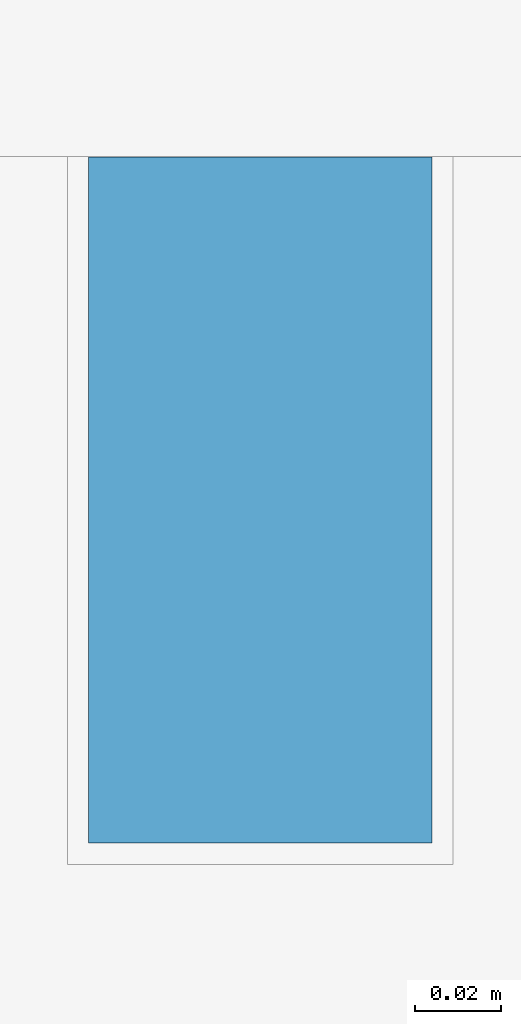
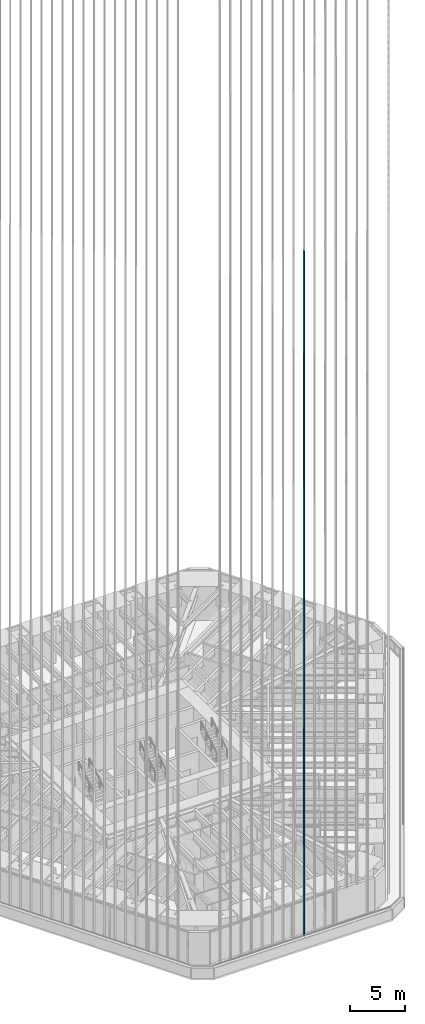
# One storey, part 59 of 238: 1 member, 1 element without a shape of its own.
"""IFC4 building model written with IfcOpenShell, lengths in metres."""

import ifcopenshell
import ifcopenshell.guid

model = None  # the IFC model being written
_history = None  # IfcOwnerHistory: only IFC2X3 demands one
_inside = {}  # id of a spatial element -> (the spatial element, [elements in it])
_under = {}  # id of a project, library or spatial element -> (it, [spatial elements below it])
_declared = {}  # id of a project -> (the project, [libraries it declares])
_typed = {}  # id of a type object -> (the type object, [elements of that type])
_made_of = {}  # id of a material, layer set ... -> (it, [elements and type objects made of it])


def new_model(schema):
    """Start an empty IFC model of exactly this schema.

    Asked for "IFC4X3", IfcOpenShell would pick the latest addendum, in which some entities
    have other attributes; the version numbers below select the first issue.
    IFC2X3 requires an IfcOwnerHistory on every rooted entity: one is made here for all.
    """
    global model, _history
    if schema == "IFC4X3":
        model = ifcopenshell.file(schema_version=(4, 3, 0, 0))
    else:
        model = ifcopenshell.file(schema=schema)
    _inside.clear()
    _under.clear()
    _declared.clear()
    _typed.clear()
    _made_of.clear()
    _history = None
    if model.schema == "IFC2X3":
        org = make("IfcOrganization", Name="unknown")
        user = make(
            "IfcPersonAndOrganization",
            ThePerson=make("IfcPerson", FamilyName="unknown"),
            TheOrganization=org,
        )
        app = make(
            "IfcApplication",
            ApplicationDeveloper=org,
            Version="unknown",
            ApplicationFullName="unknown",
            ApplicationIdentifier="unknown",
        )
        _history = make(
            "IfcOwnerHistory",
            OwningUser=user,
            OwningApplication=app,
            ChangeAction="ADDED",
            CreationDate=0,
        )
    return model


def make(cls, **values):
    """One entity of the class cls with the attributes given. An attribute that is None is left unset."""
    return model.create_entity(
        cls, **{name: value for name, value in values.items() if value is not None}
    )


def rooted(cls, **values):
    """An entity with a GlobalId (a new one), such as an element, a storey or a relation."""
    return make(cls, GlobalId=ifcopenshell.guid.new(), OwnerHistory=_history, **values)


def si_unit(unit_type, name, prefix=None):
    """IfcSIUnit, for example si_unit("LENGTHUNIT", "METRE", prefix="MILLI")."""
    return make("IfcSIUnit", UnitType=unit_type, Prefix=prefix, Name=name)


def assignment(units):
    """IfcUnitAssignment: the units of a project."""
    return None if units is None else make("IfcUnitAssignment", Units=units)


def point(xyz):
    """IfcCartesianPoint."""
    return None if xyz is None else make("IfcCartesianPoint", Coordinates=xyz)


def direction(xyz):
    """IfcDirection."""
    return None if xyz is None else make("IfcDirection", DirectionRatios=xyz)


def frame(location, z_axis=None, x_axis=None):
    """IfcAxis2Placement3D, a coordinate frame: its origin and axes. An axis left out is left unset."""
    return make(
        "IfcAxis2Placement3D",
        Location=point(location),
        Axis=direction(z_axis),
        RefDirection=direction(x_axis),
    )


def frame_2d(location, x_axis=None):
    """IfcAxis2Placement2D, a coordinate frame in the plane: its origin and x axis."""
    return make(
        "IfcAxis2Placement2D", Location=point(location), RefDirection=direction(x_axis)
    )


def origin():
    """The frame at (0, 0, 0) with its axes left unset."""
    return frame((0.0, 0.0, 0.0))


def origin_2d():
    """The frame at (0, 0) in the plane with its x axis left unset."""
    return frame_2d((0.0, 0.0))


def place(relative_to, where):
    """IfcLocalPlacement: puts the frame where relative to a parent placement (None: the world)."""
    return make(
        "IfcLocalPlacement", PlacementRelTo=relative_to, RelativePlacement=where
    )


def context(
    kind, dimensions, precision=None, world=None, true_north=None, identifier=None
):
    """IfcGeometricRepresentationContext, for example the 3D "Model" context."""
    return make(
        "IfcGeometricRepresentationContext",
        ContextIdentifier=identifier,
        ContextType=kind,
        CoordinateSpaceDimension=dimensions,
        Precision=precision,
        WorldCoordinateSystem=world,
        TrueNorth=true_north,
    )


def subcontext(parent, identifier, kind, view, scale=None):
    """IfcGeometricRepresentationSubContext, for example "Body" below "Model"."""
    return make(
        "IfcGeometricRepresentationSubContext",
        ContextIdentifier=identifier,
        ContextType=kind,
        ParentContext=parent,
        TargetScale=scale,
        TargetView=view,
    )


def project(units=None, contexts=None):
    """IfcProject with its units and contexts."""
    return rooted(
        "IfcProject",
        Name="project",
        RepresentationContexts=contexts,
        UnitsInContext=assignment(units),
    )


def spatial(cls, under=None, at=None, **own):
    """A site, building, storey or space (cls), placed at a placement, below another one or the project."""
    s = rooted(cls, ObjectPlacement=at, **own)
    if under is not None:
        _under.setdefault(under.id(), (under, []))[1].append(s)
    return s


def profile(cls, at=None, kind="AREA", **sizes):
    """A parametric profile (cls). Its sizes go by their IFC names, for example OverallWidth=200.0."""
    return make(cls, ProfileType=kind, Position=at, **sizes)


def rectangle(**sizes):
    """IfcRectangleProfileDef."""
    return profile("IfcRectangleProfileDef", **sizes)


def extrude(swept, where, along, depth):
    """IfcExtrudedAreaSolid: the profile swept, set in the frame where, extruded along a direction by depth."""
    return make(
        "IfcExtrudedAreaSolid",
        SweptArea=swept,
        Position=where,
        ExtrudedDirection=direction(along),
        Depth=depth,
    )


def shape(context_of_items, identifier, shape_type, items):
    """IfcShapeRepresentation: the items that make up one representation, for example the "Body"."""
    return make(
        "IfcShapeRepresentation",
        ContextOfItems=context_of_items,
        RepresentationIdentifier=identifier,
        RepresentationType=shape_type,
        Items=items,
    )


def material(Name=None, Category=None):
    """IfcMaterial."""
    return make("IfcMaterial", Name=Name, Category=Category)


def material_profile(
    of_material, cross_section, Name=None, Category=None, Priority=None
):
    """IfcMaterialProfile: a cross section and its material."""
    return make(
        "IfcMaterialProfile",
        Name=Name,
        Material=of_material,
        Profile=cross_section,
        Priority=Priority,
        Category=Category,
    )


def profile_set(profiles, Name=None, composite=None):
    """IfcMaterialProfileSet."""
    return make(
        "IfcMaterialProfileSet",
        Name=Name,
        MaterialProfiles=profiles,
        CompositeProfile=composite,
    )


def made_of(thing, what):
    """Note that an element or type object is made of a material, layer set ...; save() writes the relation."""
    if what is not None:
        _made_of.setdefault(what.id(), (what, []))[1].append(thing)
    return thing


def type_object(cls, material=None, **own):
    """A type object (cls), such as IfcWallType, which elements share."""
    return made_of(rooted(cls, **own), material)


def element(
    cls,
    number,
    at=None,
    inside=None,
    cuts=None,
    type_object=None,
    material=None,
    context=None,
    identifier="Body",
    shape_type=None,
    held_by="IfcProductDefinitionShape",
    body=None,
    shapes=None,
    **own,
):
    """One element of the class cls, such as IfcWall. Its Tag is "e" and its number.

    at: its placement. inside: the storey or other place that contains it. cuts: it is an
    opening in that element (IfcRelVoidsElement). A single representation is given by context,
    identifier, shape_type and body (its items); several are given by shapes. held_by: the class
    of the entity that holds the representations. save() writes the other relations.
    """
    e = rooted(cls, Tag="e%d" % number, ObjectPlacement=at, **own)
    if body is not None:
        shapes = [shape(context, identifier, shape_type, body)]
    if shapes is not None:
        e.Representation = make(held_by, Representations=shapes)
    if inside is not None:
        _inside.setdefault(inside.id(), (inside, []))[1].append(e)
    if cuts is not None:
        rooted(
            "IfcRelVoidsElement", RelatingBuildingElement=cuts, RelatedOpeningElement=e
        )
    if type_object is not None:
        _typed.setdefault(type_object.id(), (type_object, []))[1].append(e)
    return made_of(e, material)


def aggregate(whole, parts):
    """IfcRelAggregates: a whole, such as a stair, and the parts it consists of."""
    return rooted("IfcRelAggregates", RelatingObject=whole, RelatedObjects=parts)


def save(model, path):
    """Write the relations noted so far, then the file.

    IfcRelAggregates (storeys below a building ...), IfcRelContainedInSpatialStructure (elements
    in a storey), IfcRelDefinesByType, IfcRelAssociatesMaterial and IfcRelDeclares: one each for
    every whole, place, type object, material and project.
    """
    for whole, parts in _under.values():
        aggregate(whole, parts)
    for where, things in _inside.values():
        rooted(
            "IfcRelContainedInSpatialStructure",
            RelatedElements=things,
            RelatingStructure=where,
        )
    for kind, things in _typed.values():
        rooted("IfcRelDefinesByType", RelatedObjects=things, RelatingType=kind)
    for what, things in _made_of.values():
        rooted("IfcRelAssociatesMaterial", RelatedObjects=things, RelatingMaterial=what)
    for by, libraries in _declared.values():
        rooted("IfcRelDeclares", RelatingContext=by, RelatedDefinitions=libraries)
    model.write(path)


model = new_model("IFC4")

# Units and contexts
model_context = context("Model", 3, precision=1e-05, world=origin(), true_north=direction((0.0, 1.0)))
body_context = subcontext(model_context, "Body", "Model", "MODEL_VIEW")
ifc_project = project(units=[si_unit("LENGTHUNIT", "METRE"), si_unit("AREAUNIT", "SQUARE_METRE"), si_unit("VOLUMEUNIT", "CUBIC_METRE"), si_unit("PLANEANGLEUNIT", "RADIAN"), si_unit("MASSUNIT", "GRAM", prefix="KILO")], contexts=[model_context])

# Site, building, storey
site_placement = place(None, origin())
site = spatial("IfcSite", under=ifc_project, at=site_placement, CompositionType="ELEMENT")
building_placement = place(site_placement, origin())
building = spatial("IfcBuilding", under=site, at=building_placement, Name="Sandreach Pilgrim Tower", CompositionType="ELEMENT")
storey_placement = place(building_placement, frame((0.0, 0.0, 96.800048828125)))
storey = spatial("IfcBuildingStorey", under=building, at=storey_placement, Name="L23", CompositionType="ELEMENT", Elevation=96.800048828125)

# Curtain wall, member
ifc_material_1 = material(Name="Aluminium framed curtain wall", Category="aluminium")
curtain_wall_type = type_object("IfcCurtainWallType", Name="Hotel tower curtain wall", PredefinedType="NOTDEFINED", material=ifc_material_1)
curtain_wall_placement = place(storey_placement, origin())
curtain_wall = element("IfcCurtainWall", 1, at=curtain_wall_placement, inside=storey, type_object=curtain_wall_type, Name="CW-2 L23 SA", PredefinedType="NOTDEFINED")
ifc_material_2 = material(Name="Extruded terracotta on aluminium core", Category="masonry")
ifc_material_profile = material_profile(ifc_material_2, rectangle(XDim=0.080078125, YDim=0.159912109375, at=origin_2d()), Name="TBS 80X160")
ifc_profile_set = profile_set([ifc_material_profile], Name="Extruded terracotta on aluminium core")
member_type = type_object("IfcMemberType", Name="Terracotta baguette south", PredefinedType="USERDEFINED", material=ifc_profile_set)
member_placement = place(storey_placement, frame((1.103759765625, -28.572265625, 0.0), z_axis=(0.0, 0.0, 1.0), x_axis=(-1.0, 0.0, 0.0)))
member = element("IfcMember", 2, at=member_placement, type_object=member_type, Name="Baguette Z2 S07", ObjectType="BAGUETTE", PredefinedType="USERDEFINED", context=body_context, shape_type="SweptSolid", body=[
    extrude(rectangle(XDim=0.080078125, YDim=0.159912109375, at=origin_2d()), origin(), (0.0, 0.0, 1.0), 75.83984375),
])
aggregate(curtain_wall, [member])

save(model, "model.ifc")
